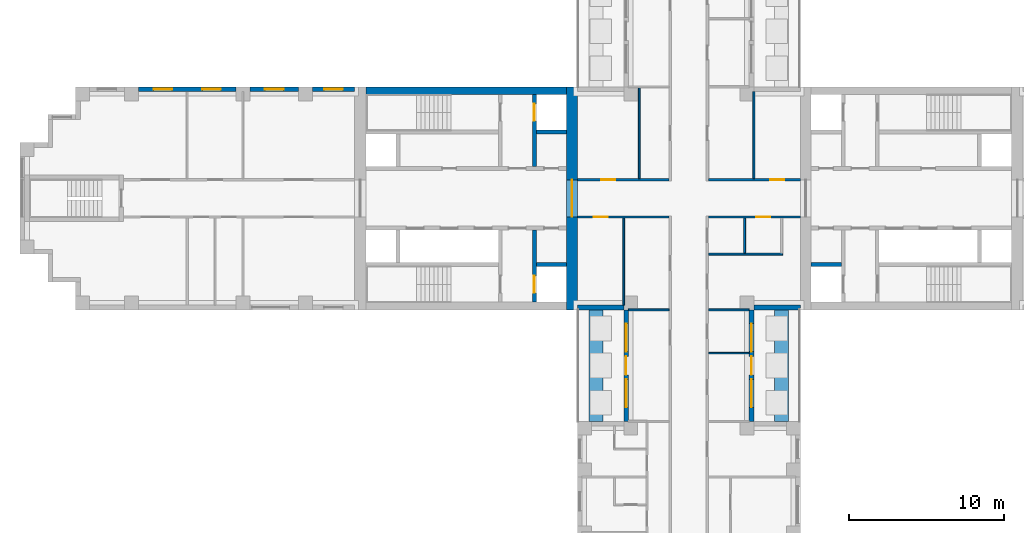
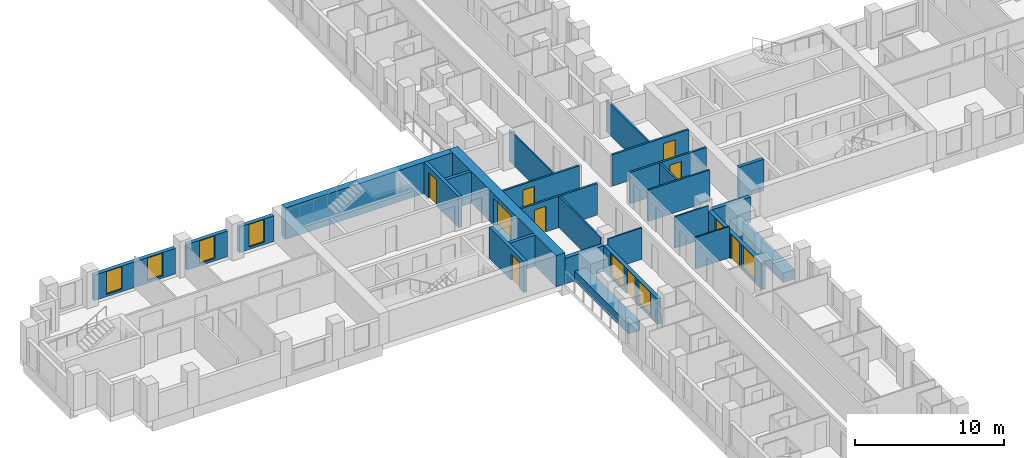
# One storey, part 7 of 15: 28 walls, 9 doors, 8 windows, 17 openings.
"""IFC4 building model written with IfcOpenShell, lengths in metres."""

from ifc_helpers import new_model, si_unit, direction, frame, frame_2d, origin, place, context, subcontext, project, spatial, rectangle, extrude, material, layer, layer_set, type_object, element, fill, save


model = new_model("IFC4")

# Units and contexts
model_context = context("Model", 3, precision=1e-05, world=origin(), true_north=direction((0.0, 1.0)))
body_context = subcontext(model_context, "Body", "Model", "MODEL_VIEW")
ifc_project = project(units=[si_unit("LENGTHUNIT", "METRE"), si_unit("AREAUNIT", "SQUARE_METRE"), si_unit("VOLUMEUNIT", "CUBIC_METRE"), si_unit("PLANEANGLEUNIT", "RADIAN"), si_unit("MASSUNIT", "GRAM", prefix="KILO")], contexts=[model_context])

# Site, building, storey
site_placement = place(None, origin())
site = spatial("IfcSite", under=ifc_project, at=site_placement, CompositionType="ELEMENT")
building_placement = place(site_placement, origin())
building = spatial("IfcBuilding", under=site, at=building_placement, Name="Fustian Cross Tower", CompositionType="ELEMENT")
storey_placement = place(building_placement, frame((0.0, 0.0, 17.699951171875)))
storey = spatial("IfcBuildingStorey", under=building, at=storey_placement, Name="L04", CompositionType="ELEMENT", Elevation=17.699951171875)

# Wall, opening, door
ifc_material_1 = material(Name="Plasterboard on steel stud", Category="steel")
ifc_layer_1 = layer(ifc_material_1, 0.14990234375)
ifc_layer_set_1 = layer_set([ifc_layer_1], Name="Plasterboard on steel stud")
wall_type_1 = type_object("IfcWallType", Name="COMPARTMENT WALL 150 EI 60", PredefinedType="PARTITIONING", material=ifc_layer_set_1)
wall_1_placement = place(storey_placement, frame((-7.199951171875, -1.199951171875, 0.0), z_axis=(0.0, 0.0, 1.0), x_axis=(1.0, 0.0, 0.0)))
wall_1 = element("IfcWall", 1, at=wall_1_placement, inside=storey, type_object=wall_type_1, Name="Partition 8", PredefinedType="PARTITIONING", context=body_context, shape_type="SweptSolid", body=[
    extrude(rectangle(XDim=5.925048828125, YDim=0.14990234375, at=frame_2d((2.96240234375, 0.0))), origin(), (0.0, 0.0, 1.0), 2.574951171875),
])
opening_1_placement = place(wall_1_placement, frame((1.050048828125, 0.0, 0.0)))
opening_1 = element("IfcOpeningElement", 2, at=opening_1_placement, cuts=wall_1, Name="Opening D04009", PredefinedType="OPENING", context=body_context, shape_type="SweptSolid", body=[
    extrude(rectangle(XDim=0.89990234375, YDim=2.10009765625, at=frame_2d((0.449951171875, 1.050048828125))), frame((0.0, 0.0849609375, 0.0), z_axis=(0.0, -1.0, 0.0), x_axis=(1.0, 0.0, 0.0)), (0.0, 0.0, 1.0), 0.169921875),
])
ifc_material_2 = material(Name="Timber fire door set", Category="wood")
door_type_1 = type_object("IfcDoorType", Name="FIRE SWING DOOR 900 FD30S", OperationType="SINGLE_SWING_LEFT", PredefinedType="DOOR", material=ifc_material_2)
door_1_placement = place(opening_1_placement, frame((0.89990234375, 0.0, 0.0), z_axis=(0.0, 0.0, 1.0), x_axis=(-1.0, 0.0, 0.0)))
door_1 = element("IfcDoor", 3, at=door_1_placement, inside=storey, type_object=door_type_1, Name="Door D04009", OperationType="SINGLE_SWING_LEFT", OverallHeight=2.10009765625, OverallWidth=0.89990234375, PredefinedType="DOOR", context=body_context, shape_type="SweptSolid", body=[
    extrude(rectangle(XDim=0.89990234375, YDim=2.10009765625, at=frame_2d((0.449951171875, 1.050048828125))), frame((0.0, 0.02490234375, 0.0), z_axis=(0.0, -1.0, 0.0), x_axis=(1.0, 0.0, 0.0)), (0.0, 0.0, 1.0), 0.050048828125),
])
fill(opening_1, door_1)

wall_2_placement = place(storey_placement, frame((-7.199951171875, 1.199951171875, 0.0), z_axis=(0.0, 0.0, 1.0), x_axis=(1.0, 0.0, 0.0)))
wall_2 = element("IfcWall", 4, at=wall_2_placement, inside=storey, type_object=wall_type_1, Name="Partition 9", PredefinedType="PARTITIONING", context=body_context, shape_type="SweptSolid", body=[
    extrude(rectangle(XDim=5.925048828125, YDim=0.14990234375, at=frame_2d((2.96240234375, 0.0))), origin(), (0.0, 0.0, 1.0), 2.574951171875),
])
opening_2_placement = place(wall_2_placement, frame((1.550048828125, 0.0, 0.0)))
opening_2 = element("IfcOpeningElement", 5, at=opening_2_placement, cuts=wall_2, Name="Opening D04004", PredefinedType="OPENING", context=body_context, shape_type="SweptSolid", body=[
    extrude(rectangle(XDim=0.89990234375, YDim=2.10009765625, at=frame_2d((0.449951171875, 1.050048828125))), frame((0.0, 0.0849609375, 0.0), z_axis=(0.0, -1.0, 0.0), x_axis=(1.0, 0.0, 0.0)), (0.0, 0.0, 1.0), 0.169921875),
])
door_2_placement = place(opening_2_placement, origin())
door_2 = element("IfcDoor", 6, at=door_2_placement, inside=storey, type_object=door_type_1, Name="Door D04004", OperationType="SINGLE_SWING_LEFT", OverallHeight=2.10009765625, OverallWidth=0.89990234375, PredefinedType="DOOR", context=body_context, shape_type="SweptSolid", body=[
    extrude(rectangle(XDim=0.89990234375, YDim=2.10009765625, at=frame_2d((0.449951171875, 1.050048828125))), frame((0.0, 0.02490234375, 0.0), z_axis=(0.0, -1.0, 0.0), x_axis=(1.0, 0.0, 0.0)), (0.0, 0.0, 1.0), 0.050048828125),
])
fill(opening_2, door_2)

wall_3_placement = place(storey_placement, frame((1.27490234375, -1.199951171875, 0.0), z_axis=(0.0, 0.0, 1.0), x_axis=(1.0, 0.0, 0.0)))
wall_3 = element("IfcWall", 7, at=wall_3_placement, inside=storey, type_object=wall_type_1, Name="Partition 63", PredefinedType="PARTITIONING", context=body_context, shape_type="SweptSolid", body=[
    extrude(rectangle(XDim=5.925048828125, YDim=0.14990234375, at=frame_2d((2.96240234375, 0.0))), origin(), (0.0, 0.0, 1.0), 2.574951171875),
])
opening_3_placement = place(wall_3_placement, frame((3.074951171875, 0.0, 0.0)))
opening_3 = element("IfcOpeningElement", 8, at=opening_3_placement, cuts=wall_3, Name="Opening D04006", PredefinedType="OPENING", context=body_context, shape_type="SweptSolid", body=[
    extrude(rectangle(XDim=0.89990234375, YDim=2.10009765625, at=frame_2d((0.449951171875, 1.050048828125))), frame((0.0, 0.0849609375, 0.0), z_axis=(0.0, -1.0, 0.0), x_axis=(1.0, 0.0, 0.0)), (0.0, 0.0, 1.0), 0.169921875),
])
door_3_placement = place(opening_3_placement, frame((0.89990234375, 0.0, 0.0), z_axis=(0.0, 0.0, 1.0), x_axis=(-1.0, 0.0, 0.0)))
door_3 = element("IfcDoor", 9, at=door_3_placement, inside=storey, type_object=door_type_1, Name="Door D04006", OperationType="SINGLE_SWING_RIGHT", OverallHeight=2.10009765625, OverallWidth=0.89990234375, PredefinedType="DOOR", context=body_context, shape_type="SweptSolid", body=[
    extrude(rectangle(XDim=0.89990234375, YDim=2.10009765625, at=frame_2d((0.449951171875, 1.050048828125))), frame((0.0, 0.02490234375, 0.0), z_axis=(0.0, -1.0, 0.0), x_axis=(1.0, 0.0, 0.0)), (0.0, 0.0, 1.0), 0.050048828125),
])
fill(opening_3, door_3)

wall_4_placement = place(storey_placement, frame((1.27490234375, 1.199951171875, 0.0), z_axis=(0.0, 0.0, 1.0), x_axis=(1.0, 0.0, 0.0)))
wall_4 = element("IfcWall", 10, at=wall_4_placement, inside=storey, type_object=wall_type_1, Name="Partition 65", PredefinedType="PARTITIONING", context=body_context, shape_type="SweptSolid", body=[
    extrude(rectangle(XDim=5.925048828125, YDim=0.14990234375, at=frame_2d((2.96240234375, 0.0))), origin(), (0.0, 0.0, 1.0), 2.574951171875),
])
opening_4_placement = place(wall_4_placement, frame((3.97509765625, 0.0, 0.0)))
opening_4 = element("IfcOpeningElement", 11, at=opening_4_placement, cuts=wall_4, Name="Opening D04002", PredefinedType="OPENING", context=body_context, shape_type="SweptSolid", body=[
    extrude(rectangle(XDim=0.89990234375, YDim=2.10009765625, at=frame_2d((0.449951171875, 1.050048828125))), frame((0.0, 0.0849609375, 0.0), z_axis=(0.0, -1.0, 0.0), x_axis=(1.0, 0.0, 0.0)), (0.0, 0.0, 1.0), 0.169921875),
])
door_4_placement = place(opening_4_placement, origin())
door_4 = element("IfcDoor", 12, at=door_4_placement, inside=storey, type_object=door_type_1, Name="Door D04002", OperationType="SINGLE_SWING_RIGHT", OverallHeight=2.10009765625, OverallWidth=0.89990234375, PredefinedType="DOOR", context=body_context, shape_type="SweptSolid", body=[
    extrude(rectangle(XDim=0.89990234375, YDim=2.10009765625, at=frame_2d((0.449951171875, 1.050048828125))), frame((0.0, 0.02490234375, 0.0), z_axis=(0.0, -1.0, 0.0), x_axis=(1.0, 0.0, 0.0)), (0.0, 0.0, 1.0), 0.050048828125),
])
fill(opening_4, door_4)

ifc_material_3 = material(Name="Concrete C80/95", Category="concrete")
ifc_layer_2 = layer(ifc_material_3, 0.699951171875)
ifc_layer_set_2 = layer_set([ifc_layer_2], Name="Concrete C80/95")
wall_type_2 = type_object("IfcWallType", Name="CORE END WALL 700 C80/95", PredefinedType="SHEAR", material=ifc_layer_set_2)
wall_5_placement = place(storey_placement, frame((-7.550048828125, -7.199951171875, 0.0), z_axis=(0.0, 0.0, 1.0), x_axis=(0.0, 1.0, 0.0)))
wall_5 = element("IfcWall", 13, at=wall_5_placement, inside=storey, type_object=wall_type_2, Name="Core end wall", PredefinedType="SHEAR", context=body_context, shape_type="SweptSolid", body=[
    extrude(rectangle(XDim=14.39990234375, YDim=0.699951171875, at=frame_2d((7.199951171875, 0.0))), origin(), (0.0, 0.0, 1.0), 2.574951171875),
])
opening_5_placement = place(wall_5_placement, frame((6.0, 0.0, 0.0)))
opening_5 = element("IfcOpeningElement", 14, at=opening_5_placement, cuts=wall_5, Name="Opening CD-04-26", PredefinedType="OPENING", context=body_context, shape_type="SweptSolid", body=[
    extrude(rectangle(XDim=2.39990234375, YDim=2.199951171875, at=frame_2d((1.199951171875, 1.10009765625))), frame((0.0, 0.35986328125, 0.0), z_axis=(0.0, -1.0, 0.0), x_axis=(1.0, 0.0, 0.0)), (0.0, 0.0, 1.0), 0.719970703125),
])
ifc_material_4 = material(Name="Steel", Category="steel")
door_type_2 = type_object("IfcDoorType", Name="FIRE DOOR FD30S DOUBLE 2400X2200", OperationType="DOUBLE_DOOR_DOUBLE_SWING", PredefinedType="DOOR", material=ifc_material_4)
door_5_placement = place(opening_5_placement, origin())
door_5 = element("IfcDoor", 15, at=door_5_placement, inside=storey, type_object=door_type_2, Name="Core door CD-04-26", OperationType="DOUBLE_DOOR_DOUBLE_SWING", OverallHeight=2.199951171875, OverallWidth=2.39990234375, PredefinedType="DOOR", context=body_context, shape_type="SweptSolid", body=[
    extrude(rectangle(XDim=2.39990234375, YDim=2.199951171875, at=frame_2d((1.199951171875, 1.10009765625))), frame((0.0, 0.02490234375, 0.0), z_axis=(0.0, -1.0, 0.0), x_axis=(1.0, 0.0, 0.0)), (0.0, 0.0, 1.0), 0.050048828125),
])
fill(opening_5, door_5)

# Walls
ifc_material_5 = material(Name="Concrete C80/95", Category="concrete")
ifc_layer_3 = layer(ifc_material_5, 0.5)
ifc_layer_set_3 = layer_set([ifc_layer_3], Name="Concrete C80/95")
wall_type_3 = type_object("IfcWallType", Name="CORE FACADE WALL 500 C80/95", PredefinedType="SHEAR", material=ifc_layer_set_3)
wall_6_placement = place(storey_placement, frame((-7.89990234375, 6.949951171875, 0.0), z_axis=(0.0, 0.0, 1.0), x_axis=(-1.0, 0.0, 0.0)))
element("IfcWall", 16, at=wall_6_placement, inside=storey, type_object=wall_type_3, Name="Core facade wall", PredefinedType="SHEAR", context=body_context, shape_type="SweptSolid", body=[
    extrude(rectangle(XDim=12.9501953125, YDim=0.5, at=frame_2d((6.47509765625, 0.0))), origin(), (0.0, 0.0, 1.0), 2.574951171875),
])
ifc_material_6 = material(Name="Concrete C50/60", Category="concrete")
ifc_layer_4 = layer(ifc_material_6, 0.25)
ifc_layer_set_4 = layer_set([ifc_layer_4], Name="Concrete C50/60")
wall_type_4 = type_object("IfcWallType", Name="CORE SHAFT WALL 250 C50/60", PredefinedType="SHEAR", material=ifc_layer_set_4)
for number, where, z_axis, x_axis, name in (
    (17, (7.89990234375, -4.27490234375, 0.0), (0.0, 0.0, 1.0), (1.0, 0.0, 0.0), "Core shaft wall"),
    (18, (-7.89990234375, 4.27490234375, 0.0), (0.0, 0.0, 1.0), (-1.0, 0.0, 0.0), "Core shaft wall"),
):
    element("IfcWall", number, at=place(storey_placement, frame(where, z_axis=z_axis, x_axis=x_axis)), inside=storey, type_object=wall_type_4, Name=name, PredefinedType="SHEAR", context=body_context, shape_type="SweptSolid", body=[
        extrude(rectangle(XDim=1.9501953125, YDim=0.25, at=frame_2d((0.97509765625, 0.0))), origin(), (0.0, 0.0, 1.0), 2.574951171875),
    ])

# Wall, opening, door
wall_7_placement = place(storey_placement, frame((-9.97509765625, 2.050048828125, 0.0), z_axis=(0.0, 0.0, 1.0), x_axis=(0.0, 1.0, 0.0)))
wall_7 = element("IfcWall", 19, at=wall_7_placement, inside=storey, type_object=wall_type_4, Name="Core shaft wall", PredefinedType="SHEAR", context=body_context, shape_type="SweptSolid", body=[
    extrude(rectangle(XDim=4.64990234375, YDim=0.25, at=frame_2d((2.324951171875, 0.0))), origin(), (0.0, 0.0, 1.0), 2.574951171875),
])
opening_6_placement = place(wall_7_placement, frame((2.949951171875, 0.0, 0.0)))
opening_6 = element("IfcOpeningElement", 20, at=opening_6_placement, cuts=wall_7, Name="Opening LD", PredefinedType="OPENING", context=body_context, shape_type="SweptSolid", body=[
    extrude(rectangle(XDim=1.10009765625, YDim=2.10009765625, at=frame_2d((0.550048828125, 1.050048828125))), frame((0.0, 0.135009765625, 0.0), z_axis=(0.0, -1.0, 0.0), x_axis=(1.0, 0.0, 0.0)), (0.0, 0.0, 1.0), 0.27001953125),
])
ifc_material_7 = material(Name="Stainless steel", Category="steel")
door_type_3 = type_object("IfcDoorType", Name="LIFT LANDING DOOR 1100X2100", OperationType="SLIDING_TO_LEFT", PredefinedType="DOOR", material=ifc_material_7)
door_6_placement = place(opening_6_placement, origin())
door_6 = element("IfcDoor", 21, at=door_6_placement, inside=storey, type_object=door_type_3, Name="Landing door FL1W", OperationType="SLIDING_TO_LEFT", OverallHeight=2.10009765625, OverallWidth=1.10009765625, PredefinedType="DOOR", context=body_context, shape_type="SweptSolid", body=[
    extrude(rectangle(XDim=1.10009765625, YDim=2.10009765625, at=frame_2d((0.550048828125, 1.050048828125))), frame((0.0, 0.02490234375, 0.0), z_axis=(0.0, -1.0, 0.0), x_axis=(1.0, 0.0, 0.0)), (0.0, 0.0, 1.0), 0.050048828125),
])
fill(opening_6, door_6)

# Wall
wall_8_placement = place(storey_placement, frame((-7.89990234375, -4.27490234375, 0.0), z_axis=(0.0, 0.0, 1.0), x_axis=(-1.0, 0.0, 0.0)))
element("IfcWall", 22, at=wall_8_placement, inside=storey, type_object=wall_type_4, Name="Core shaft wall", PredefinedType="SHEAR", context=body_context, shape_type="SweptSolid", body=[
    extrude(rectangle(XDim=1.9501953125, YDim=0.25, at=frame_2d((0.97509765625, 0.0))), origin(), (0.0, 0.0, 1.0), 2.574951171875),
])

# Wall, opening, door
wall_9_placement = place(storey_placement, frame((-9.97509765625, -2.050048828125, 0.0), z_axis=(0.0, 0.0, 1.0), x_axis=(0.0, -1.0, 0.0)))
wall_9 = element("IfcWall", 23, at=wall_9_placement, inside=storey, type_object=wall_type_4, Name="Core shaft wall", PredefinedType="SHEAR", context=body_context, shape_type="SweptSolid", body=[
    extrude(rectangle(XDim=4.64990234375, YDim=0.25, at=frame_2d((2.324951171875, 0.0))), origin(), (0.0, 0.0, 1.0), 2.574951171875),
])
opening_7_placement = place(wall_9_placement, frame((2.949951171875, 0.0, 0.0)))
opening_7 = element("IfcOpeningElement", 24, at=opening_7_placement, cuts=wall_9, Name="Opening LD", PredefinedType="OPENING", context=body_context, shape_type="SweptSolid", body=[
    extrude(rectangle(XDim=1.10009765625, YDim=2.10009765625, at=frame_2d((0.550048828125, 1.050048828125))), frame((0.0, 0.135009765625, 0.0), z_axis=(0.0, -1.0, 0.0), x_axis=(1.0, 0.0, 0.0)), (0.0, 0.0, 1.0), 0.27001953125),
])
door_7_placement = place(opening_7_placement, origin())
door_7 = element("IfcDoor", 25, at=door_7_placement, inside=storey, type_object=door_type_3, Name="Landing door SV1W", OperationType="SLIDING_TO_LEFT", OverallHeight=2.10009765625, OverallWidth=1.10009765625, PredefinedType="DOOR", context=body_context, shape_type="SweptSolid", body=[
    extrude(rectangle(XDim=1.10009765625, YDim=2.10009765625, at=frame_2d((0.550048828125, 1.050048828125))), frame((0.0, 0.02490234375, 0.0), z_axis=(0.0, -1.0, 0.0), x_axis=(1.0, 0.0, 0.0)), (0.0, 0.0, 1.0), 0.050048828125),
])
fill(opening_7, door_7)

# Walls
ifc_material_8 = material(Name="Plasterboard on steel stud", Category="steel")
ifc_layer_5 = layer(ifc_material_8, 0.10009765625)
ifc_layer_set_5 = layer_set([ifc_layer_5], Name="Plasterboard on steel stud")
wall_type_5 = type_object("IfcWallType", Name="PARTITION 100 STUD", PredefinedType="PARTITIONING", material=ifc_layer_set_5)
wall_10_placement = place(storey_placement, frame((-3.199951171875, 1.27490234375, 0.0), z_axis=(0.0, 0.0, 1.0), x_axis=(0.0, 1.0, 0.0)))
element("IfcWall", 26, at=wall_10_placement, inside=storey, type_object=wall_type_5, Name="Partition 49", PredefinedType="PARTITIONING", context=body_context, shape_type="SweptSolid", body=[
    extrude(rectangle(XDim=5.875, YDim=0.10009765625, at=frame_2d((2.9375, 0.0))), origin(), (0.0, 0.0, 1.0), 2.574951171875),
])
wall_11_placement = place(storey_placement, frame((1.27490234375, -10.0, 0.0), z_axis=(0.0, 0.0, 1.0), x_axis=(1.0, 0.0, 0.0)))
element("IfcWall", 27, at=wall_11_placement, inside=storey, type_object=wall_type_5, Name="Partition 60", PredefinedType="PARTITIONING", context=body_context, shape_type="SweptSolid", body=[
    extrude(rectangle(XDim=2.625, YDim=0.10009765625, at=frame_2d((1.3125, 0.0))), origin(), (0.0, 0.0, 1.0), 2.574951171875),
])
ifc_material_9 = material(Name="Concrete C40/50", Category="concrete")
ifc_layer_6 = layer(ifc_material_9, 0.89990234375)
ifc_layer_set_6 = layer_set([ifc_layer_6], Name="Concrete C40/50")
wall_type_6 = type_object("IfcWallType", Name="PK1 PLANTER 900", PredefinedType="PARAPET", material=ifc_layer_set_6)
for number, where, z_axis, x_axis, name in (
    (28, (6.0, -14.39990234375, 0.0), (0.0, 0.0, 1.0), (0.0, 1.0, 0.0), "PLANTER"),
    (29, (-6.0, -14.39990234375, 0.0), (0.0, 0.0, 1.0), (0.0, 1.0, 0.0), "PLANTER"),
):
    element("IfcWall", number, at=place(storey_placement, frame(where, z_axis=z_axis, x_axis=x_axis)), inside=storey, type_object=wall_type_6, Name=name, PredefinedType="PARAPET", context=body_context, shape_type="SweptSolid", body=[
        extrude(rectangle(XDim=7.199951171875, YDim=0.89990234375, at=frame_2d((3.60009765625, 0.0))), origin(), (0.0, 0.0, 1.0), 0.800048828125),
    ])
ifc_material_10 = material(Name="Plasterboard on steel stud", Category="steel")
ifc_layer_7 = layer(ifc_material_10, 0.125)
ifc_layer_set_7 = layer_set([ifc_layer_7], Name="Plasterboard on steel stud")
wall_type_7 = type_object("IfcWallType", Name="WET WALL 125 STUD", PredefinedType="PARTITIONING", material=ifc_layer_set_7)
wall_12_placement = place(storey_placement, frame((-4.199951171875, -6.89990234375, 0.0), z_axis=(0.0, 0.0, 1.0), x_axis=(0.0, 1.0, 0.0)))
element("IfcWall", 30, at=wall_12_placement, inside=storey, type_object=wall_type_7, Name="Partition 44", PredefinedType="PARTITIONING", context=body_context, shape_type="SweptSolid", body=[
    extrude(rectangle(XDim=5.625, YDim=0.125, at=frame_2d((2.8125, 0.0))), origin(), (0.0, 0.0, 1.0), 2.574951171875),
])
for number, where, z_axis, x_axis, name in (
    (31, (-3.89990234375, -7.199951171875, 0.0), (0.0, 0.0, 1.0), (1.0, 0.0, 0.0), "Partition 46"),
    (32, (1.27490234375, -7.199951171875, 0.0), (0.0, 0.0, 1.0), (1.0, 0.0, 0.0), "Partition 61"),
):
    element("IfcWall", number, at=place(storey_placement, frame(where, z_axis=z_axis, x_axis=x_axis)), inside=storey, type_object=wall_type_7, Name=name, PredefinedType="PARTITIONING", context=body_context, shape_type="SweptSolid", body=[
        extrude(rectangle(XDim=2.625, YDim=0.125, at=frame_2d((1.3125, 0.0))), origin(), (0.0, 0.0, 1.0), 2.574951171875),
    ])
wall_13_placement = place(storey_placement, frame((1.27490234375, -3.60009765625, 0.0), z_axis=(0.0, 0.0, 1.0), x_axis=(1.0, 0.0, 0.0)))
element("IfcWall", 33, at=wall_13_placement, inside=storey, type_object=wall_type_7, Name="Partition 62", PredefinedType="PARTITIONING", context=body_context, shape_type="SweptSolid", body=[
    extrude(rectangle(XDim=4.78759765625, YDim=0.125, at=frame_2d((2.393798828125, 0.0))), origin(), (0.0, 0.0, 1.0), 2.574951171875),
])
wall_14_placement = place(storey_placement, frame((3.60009765625, -3.53759765625, 0.0), z_axis=(0.0, 0.0, 1.0), x_axis=(0.0, 1.0, 0.0)))
element("IfcWall", 34, at=wall_14_placement, inside=storey, type_object=wall_type_7, Name="Partition 85", PredefinedType="PARTITIONING", context=body_context, shape_type="SweptSolid", body=[
    extrude(rectangle(XDim=2.2626953125, YDim=0.125, at=frame_2d((1.13134765625, 0.0))), origin(), (0.0, 0.0, 1.0), 2.574951171875),
])
wall_15_placement = place(storey_placement, frame((4.199951171875, 1.27490234375, 0.0), z_axis=(0.0, 0.0, 1.0), x_axis=(0.0, 1.0, 0.0)))
element("IfcWall", 35, at=wall_15_placement, inside=storey, type_object=wall_type_7, Name="Partition 86", PredefinedType="PARTITIONING", context=body_context, shape_type="SweptSolid", body=[
    extrude(rectangle(XDim=5.625, YDim=0.125, at=frame_2d((2.8125, 0.0))), origin(), (0.0, 0.0, 1.0), 2.574951171875),
])

# Wall, opening, window
ifc_material_11 = material(Name="Dark aluminium cladding on insulated backing wall", Category="aluminium")
ifc_layer_8 = layer(ifc_material_11, 0.300048828125)
ifc_layer_set_8 = layer_set([ifc_layer_8], Name="Dark aluminium cladding on insulated backing wall")
wall_type_8 = type_object("IfcWallType", Name="XW1 EXTERNAL WALL 300", PredefinedType="SOLIDWALL", material=ifc_layer_set_8)
wall_16_placement = place(storey_placement, frame((-21.60009765625, 7.050048828125, 0.0), z_axis=(0.0, 0.0, 1.0), x_axis=(-1.0, 0.0, 0.0)))
wall_16 = element("IfcWall", 36, at=wall_16_placement, inside=storey, type_object=wall_type_8, Name="External wall", PredefinedType="SOLIDWALL", context=body_context, shape_type="SweptSolid", body=[
    extrude(rectangle(XDim=2.699951171875, YDim=0.300048828125, at=frame_2d((1.35009765625, 0.0))), origin(), (0.0, 0.0, 1.0), 2.10009765625),
])
opening_8_placement = place(wall_16_placement, frame((0.75, 0.0, 0.199951171875)))
opening_8 = element("IfcOpeningElement", 37, at=opening_8_placement, cuts=wall_16, Name="Opening WN3", PredefinedType="OPENING", context=body_context, shape_type="SweptSolid", body=[
    extrude(rectangle(XDim=1.199951171875, YDim=1.85009765625, at=frame_2d((0.60009765625, 0.925048828125))), frame((0.0, 0.159912109375, 0.0), z_axis=(0.0, -1.0, 0.0), x_axis=(1.0, 0.0, 0.0)), (0.0, 0.0, 1.0), 0.320068359375),
])
ifc_material_12 = material(Name="Dark anodised aluminium and double glazing", Category="aluminium")
window_type_1 = type_object("IfcWindowType", Name="WN3 WINDOW 1200X1850", PartitioningType="SINGLE_PANEL", PredefinedType="WINDOW", material=ifc_material_12)
window_1_placement = place(opening_8_placement, origin())
window_1 = element("IfcWindow", 38, at=window_1_placement, inside=storey, type_object=window_type_1, Name="Window", OverallHeight=1.85009765625, OverallWidth=1.199951171875, PartitioningType="SINGLE_PANEL", PredefinedType="WINDOW", context=body_context, shape_type="SweptSolid", body=[
    extrude(rectangle(XDim=1.199951171875, YDim=1.85009765625, at=frame_2d((0.60009765625, 0.925048828125))), frame((0.0, 0.030029296875, 0.0), z_axis=(0.0, -1.0, 0.0), x_axis=(1.0, 0.0, 0.0)), (0.0, 0.0, 1.0), 0.06005859375),
])
fill(opening_8, window_1)

wall_17_placement = place(storey_placement, frame((-25.199951171875, 7.050048828125, 0.0), z_axis=(0.0, 0.0, 1.0), x_axis=(-1.0, 0.0, 0.0)))
wall_17 = element("IfcWall", 39, at=wall_17_placement, inside=storey, type_object=wall_type_8, Name="External wall", PredefinedType="SOLIDWALL", context=body_context, shape_type="SweptSolid", body=[
    extrude(rectangle(XDim=3.150146484375, YDim=0.300048828125, at=frame_2d((1.5751953125, 0.0))), origin(), (0.0, 0.0, 1.0), 2.10009765625),
])
opening_9_placement = place(wall_17_placement, frame((0.97509765625, 0.0, 0.199951171875)))
opening_9 = element("IfcOpeningElement", 40, at=opening_9_placement, cuts=wall_17, Name="Opening WN3", PredefinedType="OPENING", context=body_context, shape_type="SweptSolid", body=[
    extrude(rectangle(XDim=1.199951171875, YDim=1.85009765625, at=frame_2d((0.60009765625, 0.925048828125))), frame((0.0, 0.159912109375, 0.0), z_axis=(0.0, -1.0, 0.0), x_axis=(1.0, 0.0, 0.0)), (0.0, 0.0, 1.0), 0.320068359375),
])
window_2_placement = place(opening_9_placement, origin())
window_2 = element("IfcWindow", 41, at=window_2_placement, inside=storey, type_object=window_type_1, Name="Window", OverallHeight=1.85009765625, OverallWidth=1.199951171875, PartitioningType="SINGLE_PANEL", PredefinedType="WINDOW", context=body_context, shape_type="SweptSolid", body=[
    extrude(rectangle(XDim=1.199951171875, YDim=1.85009765625, at=frame_2d((0.60009765625, 0.925048828125))), frame((0.0, 0.030029296875, 0.0), z_axis=(0.0, -1.0, 0.0), x_axis=(1.0, 0.0, 0.0)), (0.0, 0.0, 1.0), 0.06005859375),
])
fill(opening_9, window_2)

# Wall, openings, windows
wall_18_placement = place(storey_placement, frame((-29.25, 7.050048828125, 0.0), z_axis=(0.0, 0.0, 1.0), x_axis=(-1.0, 0.0, 0.0)))
wall_18 = element("IfcWall", 42, at=wall_18_placement, inside=storey, type_object=wall_type_8, Name="External wall", PredefinedType="SOLIDWALL", context=body_context, shape_type="SweptSolid", body=[
    extrude(rectangle(XDim=6.300048828125, YDim=0.300048828125, at=frame_2d((3.14990234375, 0.0))), origin(), (0.0, 0.0, 1.0), 2.10009765625),
])
opening_10_placement = place(wall_18_placement, frame((0.97509765625, 0.0, 0.199951171875)))
opening_10 = element("IfcOpeningElement", 43, at=opening_10_placement, cuts=wall_18, Name="Opening WN3", PredefinedType="OPENING", context=body_context, shape_type="SweptSolid", body=[
    extrude(rectangle(XDim=1.199951171875, YDim=1.85009765625, at=frame_2d((0.60009765625, 0.925048828125))), frame((0.0, 0.159912109375, 0.0), z_axis=(0.0, -1.0, 0.0), x_axis=(1.0, 0.0, 0.0)), (0.0, 0.0, 1.0), 0.320068359375),
])
opening_11_placement = place(wall_18_placement, frame((4.125, 0.0, 0.199951171875)))
opening_11 = element("IfcOpeningElement", 44, at=opening_11_placement, cuts=wall_18, Name="Opening WN3", PredefinedType="OPENING", context=body_context, shape_type="SweptSolid", body=[
    extrude(rectangle(XDim=1.199951171875, YDim=1.85009765625, at=frame_2d((0.60009765625, 0.925048828125))), frame((0.0, 0.159912109375, 0.0), z_axis=(0.0, -1.0, 0.0), x_axis=(1.0, 0.0, 0.0)), (0.0, 0.0, 1.0), 0.320068359375),
])
window_3_placement = place(opening_10_placement, origin())
window_3 = element("IfcWindow", 45, at=window_3_placement, inside=storey, type_object=window_type_1, Name="Window", OverallHeight=1.85009765625, OverallWidth=1.199951171875, PartitioningType="SINGLE_PANEL", PredefinedType="WINDOW", context=body_context, shape_type="SweptSolid", body=[
    extrude(rectangle(XDim=1.199951171875, YDim=1.85009765625, at=frame_2d((0.60009765625, 0.925048828125))), frame((0.0, 0.030029296875, 0.0), z_axis=(0.0, -1.0, 0.0), x_axis=(1.0, 0.0, 0.0)), (0.0, 0.0, 1.0), 0.06005859375),
])
fill(opening_10, window_3)
window_4_placement = place(opening_11_placement, origin())
window_4 = element("IfcWindow", 46, at=window_4_placement, inside=storey, type_object=window_type_1, Name="Window", OverallHeight=1.85009765625, OverallWidth=1.199951171875, PartitioningType="SINGLE_PANEL", PredefinedType="WINDOW", context=body_context, shape_type="SweptSolid", body=[
    extrude(rectangle(XDim=1.199951171875, YDim=1.85009765625, at=frame_2d((0.60009765625, 0.925048828125))), frame((0.0, 0.030029296875, 0.0), z_axis=(0.0, -1.0, 0.0), x_axis=(1.0, 0.0, 0.0)), (0.0, 0.0, 1.0), 0.06005859375),
])
fill(opening_11, window_4)

# Wall
wall_19_placement = place(storey_placement, frame((-7.199951171875, -7.050048828125, 0.0), z_axis=(0.0, 0.0, 1.0), x_axis=(1.0, 0.0, 0.0)))
element("IfcWall", 47, at=wall_19_placement, inside=storey, type_object=wall_type_8, Name="External wall", PredefinedType="SOLIDWALL", context=body_context, shape_type="SweptSolid", body=[
    extrude(rectangle(XDim=3.0, YDim=0.300048828125, at=frame_2d((1.5, 0.0))), origin(), (0.0, 0.0, 1.0), 2.10009765625),
])

# Wall, openings, door, windows
wall_20_placement = place(storey_placement, frame((-4.050048828125, -7.199951171875, 0.0), z_axis=(0.0, 0.0, 1.0), x_axis=(0.0, -1.0, 0.0)))
wall_20 = element("IfcWall", 48, at=wall_20_placement, inside=storey, type_object=wall_type_8, Name="External wall", PredefinedType="SOLIDWALL", context=body_context, shape_type="SweptSolid", body=[
    extrude(rectangle(XDim=7.199951171875, YDim=0.300048828125, at=frame_2d((3.60009765625, 0.0))), origin(), (0.0, 0.0, 1.0), 2.10009765625),
])
opening_12_placement = place(wall_20_placement, frame((3.0, 0.0, 0.0)))
opening_12 = element("IfcOpeningElement", 49, at=opening_12_placement, cuts=wall_20, Name="Opening XD4", PredefinedType="OPENING", context=body_context, shape_type="SweptSolid", body=[
    extrude(rectangle(XDim=1.199951171875, YDim=2.050048828125, at=frame_2d((0.60009765625, 1.02490234375))), frame((0.0, 0.159912109375, 0.0), z_axis=(0.0, -1.0, 0.0), x_axis=(1.0, 0.0, 0.0)), (0.0, 0.0, 1.0), 0.320068359375),
])
opening_13_placement = place(wall_20_placement, frame((0.89990234375, 0.0, 0.199951171875)))
opening_13 = element("IfcOpeningElement", 50, at=opening_13_placement, cuts=wall_20, Name="Opening WN2", PredefinedType="OPENING", context=body_context, shape_type="SweptSolid", body=[
    extrude(rectangle(XDim=1.800048828125, YDim=1.85009765625, at=frame_2d((0.89990234375, 0.925048828125))), frame((0.0, 0.159912109375, 0.0), z_axis=(0.0, -1.0, 0.0), x_axis=(1.0, 0.0, 0.0)), (0.0, 0.0, 1.0), 0.320068359375),
])
opening_14_placement = place(wall_20_placement, frame((4.5, 0.0, 0.199951171875)))
opening_14 = element("IfcOpeningElement", 51, at=opening_14_placement, cuts=wall_20, Name="Opening WN2", PredefinedType="OPENING", context=body_context, shape_type="SweptSolid", body=[
    extrude(rectangle(XDim=1.800048828125, YDim=1.85009765625, at=frame_2d((0.89990234375, 0.925048828125))), frame((0.0, 0.159912109375, 0.0), z_axis=(0.0, -1.0, 0.0), x_axis=(1.0, 0.0, 0.0)), (0.0, 0.0, 1.0), 0.320068359375),
])
ifc_material_13 = material(Name="Dark anodised aluminium and double glazing", Category="aluminium")
door_type_4 = type_object("IfcDoorType", Name="ED1 BALCONY DOOR 1200X2050", OperationType="SINGLE_SWING_LEFT", PredefinedType="DOOR", material=ifc_material_13)
door_8_placement = place(opening_12_placement, origin())
door_8 = element("IfcDoor", 52, at=door_8_placement, inside=storey, type_object=door_type_4, Name="Balcony door", OperationType="SINGLE_SWING_LEFT", OverallHeight=2.050048828125, OverallWidth=1.199951171875, PredefinedType="DOOR", context=body_context, shape_type="SweptSolid", body=[
    extrude(rectangle(XDim=1.199951171875, YDim=2.050048828125, at=frame_2d((0.60009765625, 1.02490234375))), frame((0.0, 0.02490234375, 0.0), z_axis=(0.0, -1.0, 0.0), x_axis=(1.0, 0.0, 0.0)), (0.0, 0.0, 1.0), 0.050048828125),
])
fill(opening_12, door_8)
ifc_material_14 = material(Name="Dark anodised aluminium and double glazing", Category="aluminium")
window_type_2 = type_object("IfcWindowType", Name="WN2 WINDOW 1800X1850", PartitioningType="SINGLE_PANEL", PredefinedType="WINDOW", material=ifc_material_14)
window_5_placement = place(opening_13_placement, origin())
window_5 = element("IfcWindow", 53, at=window_5_placement, inside=storey, type_object=window_type_2, Name="Window", OverallHeight=1.85009765625, OverallWidth=1.800048828125, PartitioningType="SINGLE_PANEL", PredefinedType="WINDOW", context=body_context, shape_type="SweptSolid", body=[
    extrude(rectangle(XDim=1.800048828125, YDim=1.85009765625, at=frame_2d((0.89990234375, 0.925048828125))), frame((0.0, 0.030029296875, 0.0), z_axis=(0.0, -1.0, 0.0), x_axis=(1.0, 0.0, 0.0)), (0.0, 0.0, 1.0), 0.06005859375),
])
fill(opening_13, window_5)
window_6_placement = place(opening_14_placement, origin())
window_6 = element("IfcWindow", 54, at=window_6_placement, inside=storey, type_object=window_type_2, Name="Window", OverallHeight=1.85009765625, OverallWidth=1.800048828125, PartitioningType="SINGLE_PANEL", PredefinedType="WINDOW", context=body_context, shape_type="SweptSolid", body=[
    extrude(rectangle(XDim=1.800048828125, YDim=1.85009765625, at=frame_2d((0.89990234375, 0.925048828125))), frame((0.0, 0.030029296875, 0.0), z_axis=(0.0, -1.0, 0.0), x_axis=(1.0, 0.0, 0.0)), (0.0, 0.0, 1.0), 0.06005859375),
])
fill(opening_14, window_6)

wall_21_placement = place(storey_placement, frame((4.050048828125, -14.39990234375, 0.0), z_axis=(0.0, 0.0, 1.0), x_axis=(0.0, 1.0, 0.0)))
wall_21 = element("IfcWall", 55, at=wall_21_placement, inside=storey, type_object=wall_type_8, Name="External wall", PredefinedType="SOLIDWALL", context=body_context, shape_type="SweptSolid", body=[
    extrude(rectangle(XDim=7.199951171875, YDim=0.300048828125, at=frame_2d((3.60009765625, 0.0))), origin(), (0.0, 0.0, 1.0), 2.10009765625),
])
opening_15_placement = place(wall_21_placement, frame((3.0, 0.0, 0.0)))
opening_15 = element("IfcOpeningElement", 56, at=opening_15_placement, cuts=wall_21, Name="Opening XD3", PredefinedType="OPENING", context=body_context, shape_type="SweptSolid", body=[
    extrude(rectangle(XDim=1.199951171875, YDim=2.050048828125, at=frame_2d((0.60009765625, 1.02490234375))), frame((0.0, 0.159912109375, 0.0), z_axis=(0.0, -1.0, 0.0), x_axis=(1.0, 0.0, 0.0)), (0.0, 0.0, 1.0), 0.320068359375),
])
opening_16_placement = place(wall_21_placement, frame((0.89990234375, 0.0, 0.199951171875)))
opening_16 = element("IfcOpeningElement", 57, at=opening_16_placement, cuts=wall_21, Name="Opening WN2", PredefinedType="OPENING", context=body_context, shape_type="SweptSolid", body=[
    extrude(rectangle(XDim=1.800048828125, YDim=1.85009765625, at=frame_2d((0.89990234375, 0.925048828125))), frame((0.0, 0.159912109375, 0.0), z_axis=(0.0, -1.0, 0.0), x_axis=(1.0, 0.0, 0.0)), (0.0, 0.0, 1.0), 0.320068359375),
])
opening_17_placement = place(wall_21_placement, frame((4.5, 0.0, 0.199951171875)))
opening_17 = element("IfcOpeningElement", 58, at=opening_17_placement, cuts=wall_21, Name="Opening WN2", PredefinedType="OPENING", context=body_context, shape_type="SweptSolid", body=[
    extrude(rectangle(XDim=1.800048828125, YDim=1.85009765625, at=frame_2d((0.89990234375, 0.925048828125))), frame((0.0, 0.159912109375, 0.0), z_axis=(0.0, -1.0, 0.0), x_axis=(1.0, 0.0, 0.0)), (0.0, 0.0, 1.0), 0.320068359375),
])
door_9_placement = place(opening_15_placement, origin())
door_9 = element("IfcDoor", 59, at=door_9_placement, inside=storey, type_object=door_type_4, Name="Balcony door", OperationType="SINGLE_SWING_LEFT", OverallHeight=2.050048828125, OverallWidth=1.199951171875, PredefinedType="DOOR", context=body_context, shape_type="SweptSolid", body=[
    extrude(rectangle(XDim=1.199951171875, YDim=2.050048828125, at=frame_2d((0.60009765625, 1.02490234375))), frame((0.0, 0.02490234375, 0.0), z_axis=(0.0, -1.0, 0.0), x_axis=(1.0, 0.0, 0.0)), (0.0, 0.0, 1.0), 0.050048828125),
])
fill(opening_15, door_9)
window_7_placement = place(opening_16_placement, origin())
window_7 = element("IfcWindow", 60, at=window_7_placement, inside=storey, type_object=window_type_2, Name="Window", OverallHeight=1.85009765625, OverallWidth=1.800048828125, PartitioningType="SINGLE_PANEL", PredefinedType="WINDOW", context=body_context, shape_type="SweptSolid", body=[
    extrude(rectangle(XDim=1.800048828125, YDim=1.85009765625, at=frame_2d((0.89990234375, 0.925048828125))), frame((0.0, 0.030029296875, 0.0), z_axis=(0.0, -1.0, 0.0), x_axis=(1.0, 0.0, 0.0)), (0.0, 0.0, 1.0), 0.06005859375),
])
fill(opening_16, window_7)
window_8_placement = place(opening_17_placement, origin())
window_8 = element("IfcWindow", 61, at=window_8_placement, inside=storey, type_object=window_type_2, Name="Window", OverallHeight=1.85009765625, OverallWidth=1.800048828125, PartitioningType="SINGLE_PANEL", PredefinedType="WINDOW", context=body_context, shape_type="SweptSolid", body=[
    extrude(rectangle(XDim=1.800048828125, YDim=1.85009765625, at=frame_2d((0.89990234375, 0.925048828125))), frame((0.0, 0.030029296875, 0.0), z_axis=(0.0, -1.0, 0.0), x_axis=(1.0, 0.0, 0.0)), (0.0, 0.0, 1.0), 0.06005859375),
])
fill(opening_17, window_8)

# Wall
wall_22_placement = place(storey_placement, frame((4.199951171875, -7.050048828125, 0.0), z_axis=(0.0, 0.0, 1.0), x_axis=(1.0, 0.0, 0.0)))
element("IfcWall", 62, at=wall_22_placement, inside=storey, type_object=wall_type_8, Name="External wall", PredefinedType="SOLIDWALL", context=body_context, shape_type="SweptSolid", body=[
    extrude(rectangle(XDim=3.0, YDim=0.300048828125, at=frame_2d((1.5, 0.0))), origin(), (0.0, 0.0, 1.0), 2.10009765625),
])

save(model, "model.ifc")
